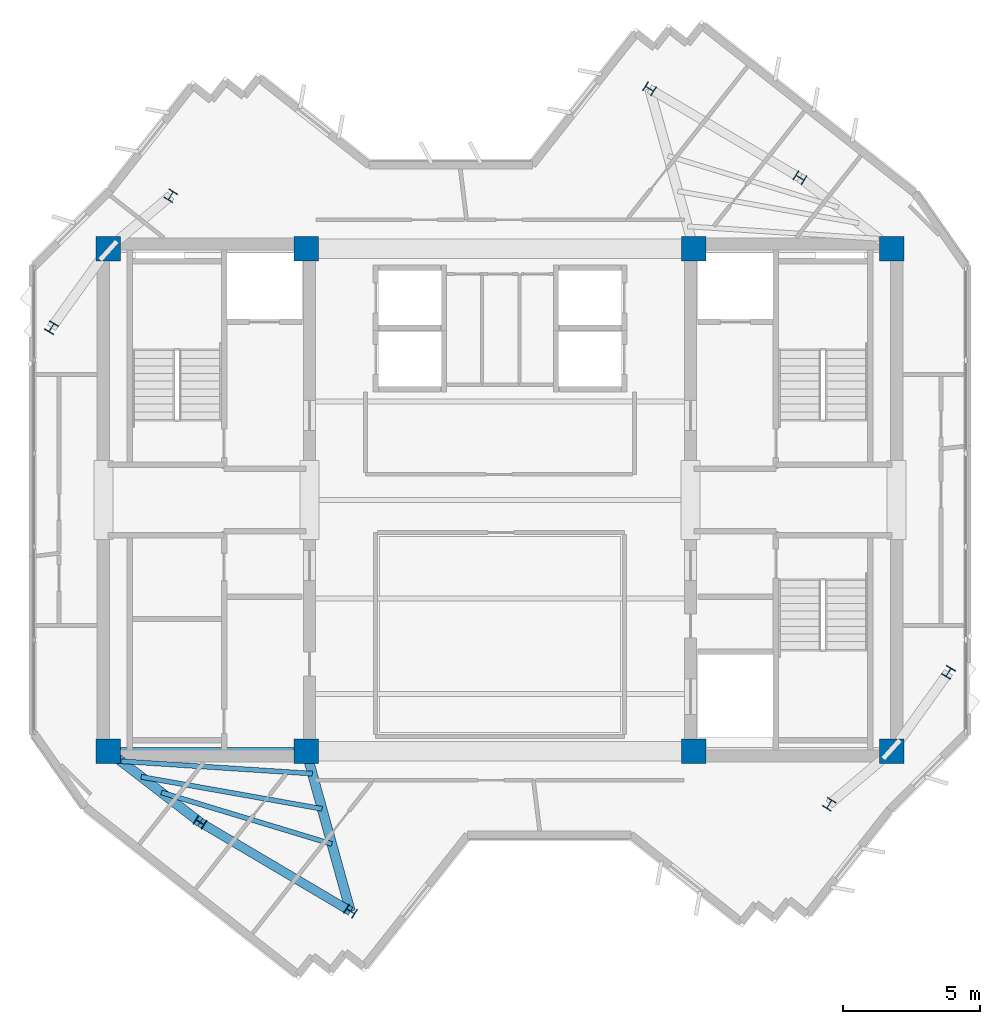
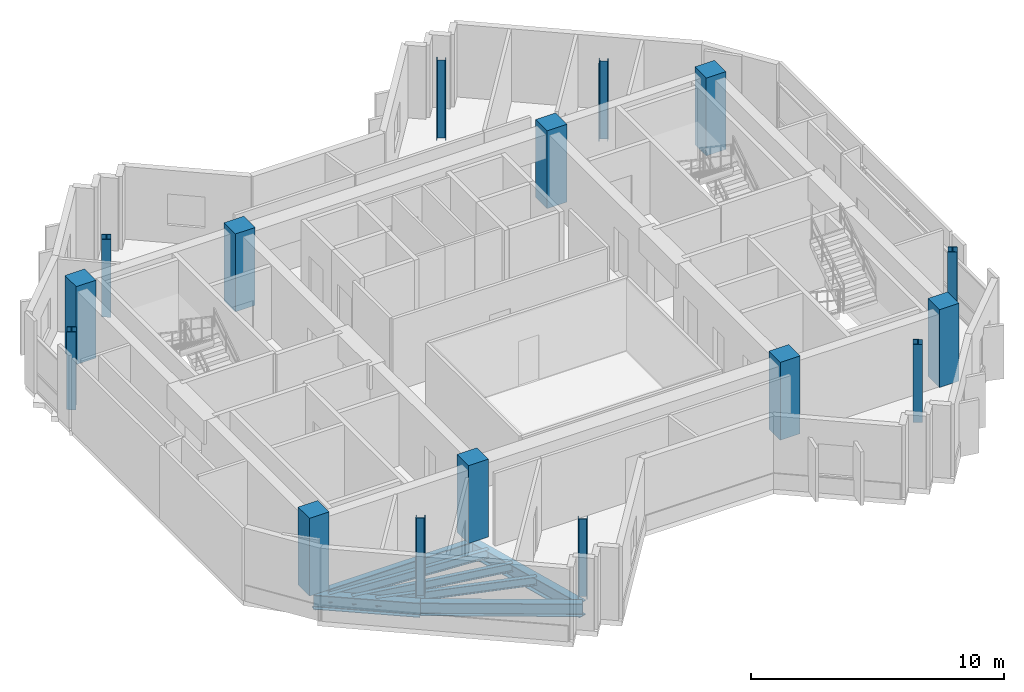
# One storey, part 1 of 10: 16 columns, 7 beams.
"""IFC4 building model written with IfcOpenShell, lengths in metres."""

from ifc_helpers import new_model, si_unit, direction, frame, origin, origin_2d, place, context, subcontext, project, spatial, rectangle, i_section, extrude, source, transform, mapped, material, material_profile, profile_set, type_object, element, save


model = new_model("IFC4")

# Units and contexts
model_context = context("Model", 3, precision=1e-05, world=origin(), true_north=direction((0.0, 1.0)))
body_context = subcontext(model_context, "Body", "Model", "MODEL_VIEW")
ifc_project = project(units=[si_unit("LENGTHUNIT", "METRE"), si_unit("AREAUNIT", "SQUARE_METRE"), si_unit("VOLUMEUNIT", "CUBIC_METRE"), si_unit("PLANEANGLEUNIT", "RADIAN"), si_unit("MASSUNIT", "GRAM", prefix="KILO")], contexts=[model_context])

# Site, building, storey
site_placement = place(None, origin())
site = spatial("IfcSite", under=ifc_project, at=site_placement, CompositionType="ELEMENT")
building_placement = place(site_placement, origin())
building = spatial("IfcBuilding", under=site, at=building_placement, Name="Zahravan Cultural Tower", CompositionType="ELEMENT")
storey_placement = place(building_placement, frame((0.0, 0.0, 323.550048828125)))
storey = spatial("IfcBuildingStorey", under=building, at=storey_placement, Name="L78", CompositionType="ELEMENT", Elevation=323.550048828125)

# Columns
ifc_material_1 = material(Name="Steel ASTM A992 Grade 50", Category="steel")
ifc_material_profile_1 = material_profile(ifc_material_1, i_section(OverallWidth=0.3740234375, OverallDepth=0.3720703125, WebThickness=0.016357421875, FlangeThickness=0.026123046875, FilletRadius=0.01806640625, at=origin_2d()), Name="W14X132")
ifc_profile_set_1 = profile_set([ifc_material_profile_1], Name="Steel ASTM A992 Grade 50")
column_type_1 = type_object("IfcColumnType", Name="COL-W14X132", PredefinedType="COLUMN", material=ifc_profile_set_1)
shared_shape_1 = source(origin(), body_context, "Body", "SweptSolid", [
    extrude(i_section(OverallWidth=0.3740234375, OverallDepth=0.3720703125, WebThickness=0.016357421875, FlangeThickness=0.026123046875, FilletRadius=0.01806640625, at=origin_2d()), origin(), (0.0, 0.0, 1.0), 3.75),
])
for number, where, z_axis, x_axis, name in (
    (1, (46.98388671875, 38.7998046875, 0.0), (0.0, 0.0, 1.0), (0.522498564716, 0.852640164354, 0.0), "L78 Column Z4C-E1"),
    (2, (41.474853515625, 42.058349609375, 0.0), (0.0, 0.0, 1.0), (0.522498564716, 0.852640164354, 0.0), "L78 Column Z4C-E2"),
    (3, (23.944580078125, 38.140625, 0.0), (0.0, 0.0, 1.0), (-0.852640164354, 0.522498564716, 0.0), "L78 Column Z4C-N1"),
    (4, (19.577392578125, 33.310791015625, 0.0), (0.0, 0.0, 1.0), (-0.852640164354, 0.522498564716, 0.0), "L78 Column Z4C-N2"),
    (5, (25.01611328125, 15.2001953125, 0.0), (0.0, 0.0, 1.0), (0.522498564716, 0.852640164354, 0.0), "L78 Column Z4C-W1"),
    (6, (30.525146484375, 11.941650390625, 0.0), (0.0, 0.0, 1.0), (0.522498564716, 0.852640164354, 0.0), "L78 Column Z4C-W2"),
    (7, (48.055419921875, 15.859375, 0.0), (0.0, 0.0, 1.0), (-0.852640164354, 0.522498564716, 0.0), "L78 Column Z4C-S1"),
    (8, (52.422607421875, 20.689208984375, 0.0), (0.0, 0.0, 1.0), (-0.852640164354, 0.522498564716, 0.0), "L78 Column Z4C-S2"),
):
    element("IfcColumn", number, at=place(storey_placement, frame(where, z_axis=z_axis, x_axis=x_axis)), inside=storey, type_object=column_type_1, Name=name, PredefinedType="COLUMN", context=body_context, shape_type="MappedRepresentation", body=[
        mapped(shared_shape_1, transform((0.0, 0.0, 0.0), x_axis=(1.0, 0.0, 0.0), y_axis=(0.0, 1.0, 0.0), z_axis=(0.0, 0.0, 1.0), scale=1.0)),
    ])
ifc_material_2 = material(Name="Concrete C50/60", Category="concrete")
ifc_material_profile_2 = material_profile(ifc_material_2, rectangle(XDim=0.89990234375, YDim=0.89990234375, at=origin_2d()), Name="RC900X900")
ifc_profile_set_2 = profile_set([ifc_material_profile_2], Name="Concrete C50/60")
column_type_2 = type_object("IfcColumnType", Name="COL-RC900", PredefinedType="COLUMN", material=ifc_profile_set_2)
shared_shape_2 = source(origin(), body_context, "Body", "SweptSolid", [
    extrude(rectangle(XDim=0.89990234375, YDim=0.89990234375, at=origin_2d()), origin(), (0.0, 0.0, 1.0), 3.75),
])
for number, where, z_axis, x_axis, name in (
    (9, (21.64990234375, 17.800048828125, 0.0), (0.0, 0.0, 1.0), (1.0, 0.0, 0.0), "L78 Column CC-W1"),
    (10, (28.89990234375, 17.800048828125, 0.0), (0.0, 0.0, 1.0), (1.0, 0.0, 0.0), "L78 Column CC-W2"),
    (11, (21.64990234375, 36.199951171875, 0.0), (0.0, 0.0, 1.0), (1.0, 0.0, 0.0), "L78 Column CC-W3"),
    (12, (28.89990234375, 36.199951171875, 0.0), (0.0, 0.0, 1.0), (1.0, 0.0, 0.0), "L78 Column CC-W4"),
    (13, (43.10009765625, 17.800048828125, 0.0), (0.0, 0.0, 1.0), (1.0, 0.0, 0.0), "L78 Column CC-E1"),
    (14, (50.35009765625, 17.800048828125, 0.0), (0.0, 0.0, 1.0), (1.0, 0.0, 0.0), "L78 Column CC-E2"),
    (15, (43.10009765625, 36.199951171875, 0.0), (0.0, 0.0, 1.0), (1.0, 0.0, 0.0), "L78 Column CC-E3"),
    (16, (50.35009765625, 36.199951171875, 0.0), (0.0, 0.0, 1.0), (1.0, 0.0, 0.0), "L78 Column CC-E4"),
):
    element("IfcColumn", number, at=place(storey_placement, frame(where, z_axis=z_axis, x_axis=x_axis)), inside=storey, type_object=column_type_2, Name=name, PredefinedType="COLUMN", context=body_context, shape_type="MappedRepresentation", body=[
        mapped(shared_shape_2, transform((0.0, 0.0, 0.0), x_axis=(1.0, 0.0, 0.0), y_axis=(0.0, 1.0, 0.0), z_axis=(0.0, 0.0, 1.0), scale=1.0)),
    ])

# Beams
ifc_material_profile_3 = material_profile(ifc_material_1, i_section(OverallWidth=0.26611328125, OverallDepth=0.780029296875, WebThickness=0.0166015625, FlangeThickness=0.030029296875, FilletRadius=0.01904296875, at=origin_2d()), Name="W30X148")
ifc_profile_set_3 = profile_set([ifc_material_profile_3], Name="Steel ASTM A992 Grade 50")
beam_type_1 = type_object("IfcBeamType", Name="BM-G-W30X148", PredefinedType="BEAM", material=ifc_profile_set_3)
shared_shape_3 = source(origin(), body_context, "Body", "SweptSolid", [
    extrude(i_section(OverallWidth=0.26611328125, OverallDepth=0.780029296875, WebThickness=0.0166015625, FlangeThickness=0.030029296875, FilletRadius=0.01904296875, at=origin_2d()), origin(), (0.0, 0.0, 1.0), 7.25),
])
beam_1_placement = place(storey_placement, frame((21.64990234375, 17.800048828125, -0.64013671875), z_axis=(1.0, 0.0, 0.0), x_axis=(0.0, 1.0, 0.0)))
element("IfcBeam", 17, at=beam_1_placement, inside=storey, type_object=beam_type_1, Name="L78 Beam BG-L78-01", PredefinedType="BEAM", context=body_context, shape_type="MappedRepresentation", body=[
    mapped(shared_shape_3, transform((0.0, 0.0, 0.0), x_axis=(1.0, 0.0, 0.0), y_axis=(0.0, 1.0, 0.0), z_axis=(0.0, 0.0, 1.0), scale=1.0)),
])
ifc_material_profile_4 = material_profile(ifc_material_1, i_section(OverallWidth=0.35498046875, OverallDepth=0.696044921875, WebThickness=0.015380859375, FlangeThickness=0.025146484375, FilletRadius=0.01806640625, at=origin_2d()), Name="W27X146")
ifc_profile_set_4 = profile_set([ifc_material_profile_4], Name="Steel ASTM A992 Grade 50")
beam_type_2 = type_object("IfcBeamType", Name="BM-G-W27X146", PredefinedType="BEAM", material=ifc_profile_set_4)
shared_shape_4 = source(origin(), body_context, "Body", "SweptSolid", [
    extrude(i_section(OverallWidth=0.35498046875, OverallDepth=0.696044921875, WebThickness=0.015380859375, FlangeThickness=0.025146484375, FilletRadius=0.01806640625, at=origin_2d()), origin(), (0.0, 0.0, 1.0), 4.25341796875),
])
beam_2_placement = place(storey_placement, frame((21.64990234375, 17.800048828125, -0.59814453125), z_axis=(0.791433936253, -0.611254713313, 0.0), x_axis=(0.611254713313, 0.791433936253, 0.0)))
element("IfcBeam", 18, at=beam_2_placement, inside=storey, type_object=beam_type_2, Name="L78 Beam BG-L78-07", PredefinedType="BEAM", context=body_context, shape_type="MappedRepresentation", body=[
    mapped(shared_shape_4, transform((0.0, 0.0, 0.0), x_axis=(1.0, 0.0, 0.0), y_axis=(0.0, 1.0, 0.0), z_axis=(0.0, 0.0, 1.0), scale=1.0)),
])
shared_shape_5 = source(origin(), body_context, "Body", "SweptSolid", [
    extrude(i_section(OverallWidth=0.35498046875, OverallDepth=0.696044921875, WebThickness=0.015380859375, FlangeThickness=0.025146484375, FilletRadius=0.01806640625, at=origin_2d()), origin(), (0.0, 0.0, 1.0), 6.07958984375),
])
beam_3_placement = place(storey_placement, frame((28.89990234375, 17.800048828125, -0.59814453125), z_axis=(0.267324894686, -0.963606455292, 0.0), x_axis=(0.963606455292, 0.267324894686, 0.0)))
element("IfcBeam", 19, at=beam_3_placement, inside=storey, type_object=beam_type_2, Name="L78 Beam BG-L78-08", PredefinedType="BEAM", context=body_context, shape_type="MappedRepresentation", body=[
    mapped(shared_shape_5, transform((0.0, 0.0, 0.0), x_axis=(1.0, 0.0, 0.0), y_axis=(0.0, 1.0, 0.0), z_axis=(0.0, 0.0, 1.0), scale=1.0)),
])
ifc_material_profile_5 = material_profile(ifc_material_1, i_section(OverallWidth=0.326904296875, OverallDepth=0.6220703125, WebThickness=0.015380859375, FlangeThickness=0.0244140625, FilletRadius=0.014892578125, at=origin_2d()), Name="W24X131")
ifc_profile_set_5 = profile_set([ifc_material_profile_5], Name="Steel ASTM A992 Grade 50")
beam_type_3 = type_object("IfcBeamType", Name="BM-SP-W24X131", PredefinedType="SPANDREL", material=ifc_profile_set_5)
shared_shape_6 = source(origin(), body_context, "Body", "SweptSolid", [
    extrude(i_section(OverallWidth=0.326904296875, OverallDepth=0.6220703125, WebThickness=0.015380859375, FlangeThickness=0.0244140625, FilletRadius=0.014892578125, at=origin_2d()), origin(), (0.0, 0.0, 1.0), 6.400634765625),
])
beam_4_placement = place(storey_placement, frame((25.01611328125, 15.2001953125, -0.56103515625), z_axis=(0.860706991833, -0.509100652337, 0.0), x_axis=(0.509100652337, 0.860706991833, 0.0)))
element("IfcBeam", 20, at=beam_4_placement, inside=storey, type_object=beam_type_3, Name="L78 Beam SP-L78-15", PredefinedType="SPANDREL", context=body_context, shape_type="MappedRepresentation", body=[
    mapped(shared_shape_6, transform((0.0, 0.0, 0.0), x_axis=(1.0, 0.0, 0.0), y_axis=(0.0, 1.0, 0.0), z_axis=(0.0, 0.0, 1.0), scale=1.0)),
])
ifc_material_profile_6 = material_profile(ifc_material_1, i_section(OverallWidth=0.177978515625, OverallDepth=0.406005859375, WebThickness=0.0078125, FlangeThickness=0.0126953125, FilletRadius=0.011962890625, at=origin_2d()), Name="W16X40")
ifc_profile_set_6 = profile_set([ifc_material_profile_6], Name="Steel ASTM A992 Grade 50")
beam_type_4 = type_object("IfcBeamType", Name="BM-J-W16X40", PredefinedType="JOIST", material=ifc_profile_set_6)
shared_shape_7 = source(origin(), body_context, "Body", "SweptSolid", [
    extrude(i_section(OverallWidth=0.177978515625, OverallDepth=0.406005859375, WebThickness=0.0078125, FlangeThickness=0.0126953125, FilletRadius=0.011962890625, at=origin_2d()), origin(), (0.0, 0.0, 1.0), 7.02099609375),
])
beam_5_placement = place(storey_placement, frame((22.121337890625, 17.43603515625, -0.453125), z_axis=(0.99788584579, -0.064991066863, 0.0), x_axis=(0.064991066863, 0.99788584579, 0.0)))
element("IfcBeam", 21, at=beam_5_placement, inside=storey, type_object=beam_type_4, Name="L78 Beam BJ-L78-24", PredefinedType="JOIST", context=body_context, shape_type="MappedRepresentation", body=[
    mapped(shared_shape_7, transform((0.0, 0.0, 0.0), x_axis=(1.0, 0.0, 0.0), y_axis=(0.0, 1.0, 0.0), z_axis=(0.0, 0.0, 1.0), scale=1.0)),
])
shared_shape_8 = source(origin(), body_context, "Body", "SweptSolid", [
    extrude(i_section(OverallWidth=0.177978515625, OverallDepth=0.406005859375, WebThickness=0.0078125, FlangeThickness=0.0126953125, FilletRadius=0.011962890625, at=origin_2d()), origin(), (0.0, 0.0, 1.0), 6.726318359375),
])
beam_6_placement = place(storey_placement, frame((22.86181640625, 16.864013671875, -0.453125), z_axis=(0.98467447748, -0.17440233198, 0.0), x_axis=(0.17440233198, 0.98467447748, 0.0)))
element("IfcBeam", 22, at=beam_6_placement, inside=storey, type_object=beam_type_4, Name="L78 Beam BJ-L78-26", PredefinedType="JOIST", context=body_context, shape_type="MappedRepresentation", body=[
    mapped(shared_shape_8, transform((0.0, 0.0, 0.0), x_axis=(1.0, 0.0, 0.0), y_axis=(0.0, 1.0, 0.0), z_axis=(0.0, 0.0, 1.0), scale=1.0)),
])
shared_shape_9 = source(origin(), body_context, "Body", "SweptSolid", [
    extrude(i_section(OverallWidth=0.177978515625, OverallDepth=0.406005859375, WebThickness=0.0078125, FlangeThickness=0.0126953125, FilletRadius=0.011962890625, at=origin_2d()), origin(), (0.0, 0.0, 1.0), 6.520263671875),
])
beam_7_placement = place(storey_placement, frame((23.602294921875, 16.292236328125, -0.453125), z_axis=(0.957060297679, -0.289888921151, 0.0), x_axis=(0.289888921151, 0.957060297679, 0.0)))
element("IfcBeam", 23, at=beam_7_placement, inside=storey, type_object=beam_type_4, Name="L78 Beam BJ-L78-28", PredefinedType="JOIST", context=body_context, shape_type="MappedRepresentation", body=[
    mapped(shared_shape_9, transform((0.0, 0.0, 0.0), x_axis=(1.0, 0.0, 0.0), y_axis=(0.0, 1.0, 0.0), z_axis=(0.0, 0.0, 1.0), scale=1.0)),
])

save(model, "model.ifc")
